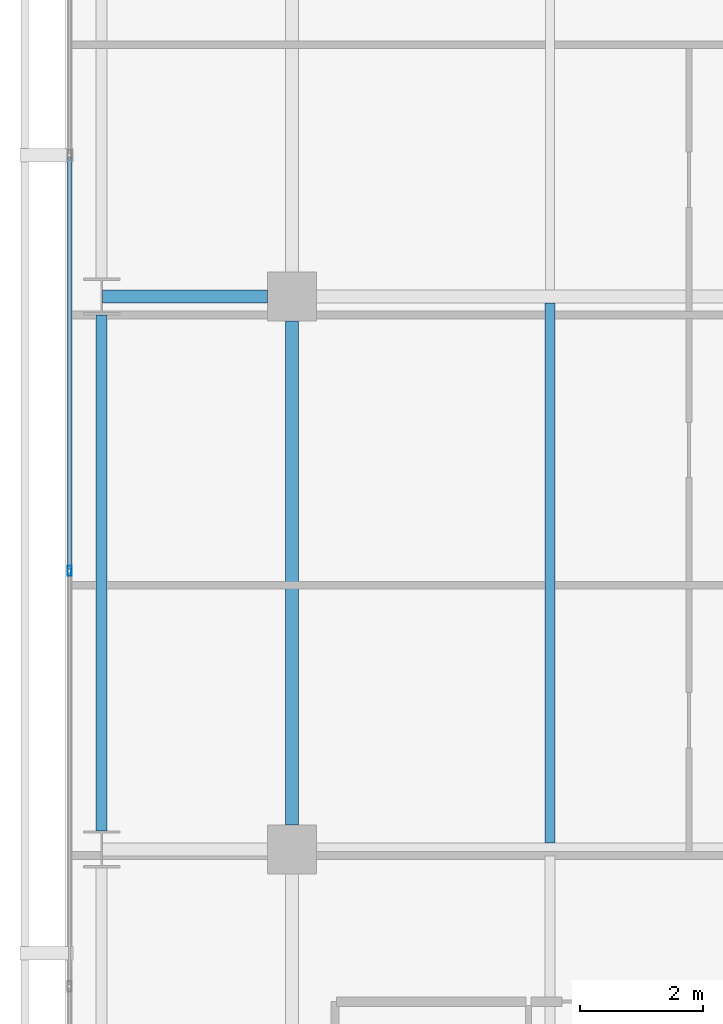
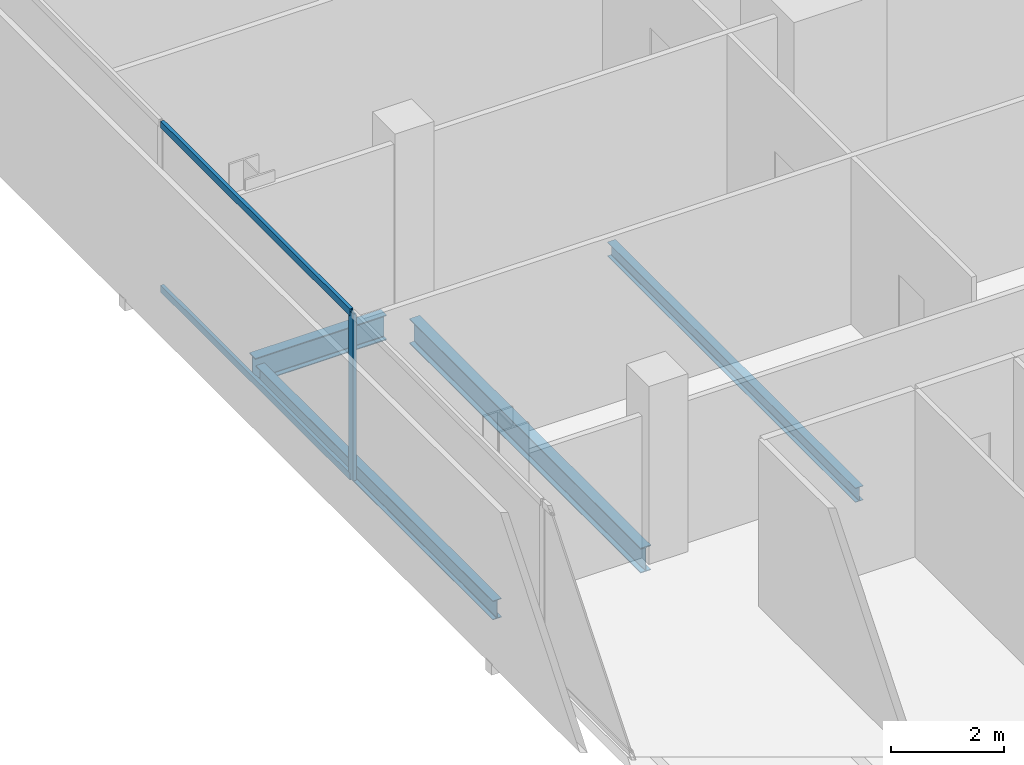
# One storey, part 8 of 34: 4 beams, 3 members, 1 element without a shape of its own.
"""IFC4 building model written with IfcOpenShell, lengths in metres."""

from ifc_helpers import new_model, si_unit, direction, frame, origin, origin_2d, place, context, subcontext, project, spatial, hollow_rectangle, i_section, extrude, material, layer, layer_set, material_profile, profile_set, type_object, element, aggregate, save


model = new_model("IFC4")

# Units and contexts
model_context = context("Model", 3, precision=1e-05, world=origin(), true_north=direction((0.0, 1.0)))
body_context = subcontext(model_context, "Body", "Model", "MODEL_VIEW")
ifc_project = project(units=[si_unit("LENGTHUNIT", "METRE"), si_unit("AREAUNIT", "SQUARE_METRE"), si_unit("VOLUMEUNIT", "CUBIC_METRE"), si_unit("PLANEANGLEUNIT", "RADIAN"), si_unit("MASSUNIT", "GRAM", prefix="KILO")], contexts=[model_context])

# Site, building, storey
site_placement = place(None, origin())
site = spatial("IfcSite", under=ifc_project, at=site_placement, CompositionType="ELEMENT")
building_placement = place(site_placement, origin())
building = spatial("IfcBuilding", under=site, at=building_placement, Name="Maruvema Waterfront Hotel and Observation Tower", CompositionType="ELEMENT")
storey_placement = place(building_placement, frame((0.0, 0.0, 215.949951171875)))
storey = spatial("IfcBuildingStorey", under=building, at=storey_placement, Name="L53", CompositionType="ELEMENT", Elevation=215.949951171875)

# Curtain wall, members
ifc_material_1 = material(Name="Anodised bronze aluminium and solar-control low-E IGU", Category="aluminium")
ifc_layer = layer(ifc_material_1, 0.159912109375, Name="Zone 2 Amber Inner Thermal Curtain Wall System CW-03")
ifc_layer_set = layer_set([ifc_layer], Name="Anodised bronze aluminium and solar-control low-E IGU")
curtain_wall_type = type_object("IfcCurtainWallType", Name="Zone 2 Amber Inner Thermal Curtain Wall System CW-03", PredefinedType="USERDEFINED", material=ifc_layer_set)
curtain_wall_placement = place(storey_placement, origin())
curtain_wall = element("IfcCurtainWall", 1, at=curtain_wall_placement, inside=storey, type_object=curtain_wall_type, Name="L53 Curtain Wall CW-L53-W", ObjectType="UNITISED CURTAIN WALL", PredefinedType="USERDEFINED")
ifc_material_2 = material(Name="Anodised architectural bronze aluminium", Category="aluminium")
ifc_material_profile_1 = material_profile(ifc_material_2, hollow_rectangle(XDim=0.070068359375, YDim=0.14990234375, WallThickness=0.00390625, at=origin_2d()), Name="ALU-T70x150")
ifc_profile_set_1 = profile_set([ifc_material_profile_1], Name="Anodised architectural bronze aluminium")
member_type_1 = type_object("IfcMemberType", Name="Curtain Wall Horizontal Transom ALU-T70x150", PredefinedType="USERDEFINED", material=ifc_profile_set_1)
member_1_placement = place(storey_placement, frame((13.179931640625, 29.27001953125, 0.030029296875), z_axis=(0.0, -1.0, 0.0), x_axis=(1.0, 0.0, 0.0)))
member_1 = element("IfcMember", 2, at=member_1_placement, type_object=member_type_1, Name="CW-03 transom 4.1", ObjectType="TRANSOM", PredefinedType="USERDEFINED", context=body_context, shape_type="SweptSolid", body=[
    extrude(hollow_rectangle(XDim=0.070068359375, YDim=0.14990234375, WallThickness=0.00390625, at=origin_2d()), origin(), (0.0, 0.0, 1.0), 6.706787109375),
])
member_2_placement = place(storey_placement, frame((13.179931640625, 29.27001953125, 3.580078125), z_axis=(0.0, -1.0, 0.0), x_axis=(1.0, 0.0, 0.0)))
member_2 = element("IfcMember", 3, at=member_2_placement, type_object=member_type_1, Name="CW-03 transom 4.2", ObjectType="TRANSOM", PredefinedType="USERDEFINED", context=body_context, shape_type="SweptSolid", body=[
    extrude(hollow_rectangle(XDim=0.070068359375, YDim=0.14990234375, WallThickness=0.00390625, at=origin_2d()), origin(), (0.0, 0.0, 1.0), 6.706787109375),
])
ifc_material_3 = material(Name="Anodised architectural bronze aluminium", Category="aluminium")
ifc_material_profile_2 = material_profile(ifc_material_3, hollow_rectangle(XDim=0.06494140625, YDim=0.1650390625, WallThickness=0.00390625, at=origin_2d()), Name="ALU-M65x165")
ifc_profile_set_2 = profile_set([ifc_material_profile_2], Name="Anodised architectural bronze aluminium")
member_type_2 = type_object("IfcMemberType", Name="Curtain Wall Primary Mullion ALU-M65x165", PredefinedType="MULLION", material=ifc_profile_set_2)
member_3_placement = place(storey_placement, frame((13.179931640625, 22.533447265625, 0.0), z_axis=(0.0, 0.0, 1.0), x_axis=(1.0, 0.0, 0.0)))
member_3 = element("IfcMember", 4, at=member_3_placement, type_object=member_type_2, Name="CW-03 mullion 5", PredefinedType="MULLION", context=body_context, shape_type="SweptSolid", body=[
    extrude(hollow_rectangle(XDim=0.06494140625, YDim=0.1650390625, WallThickness=0.00390625, at=origin_2d()), origin(), (0.0, 0.0, 1.0), 3.610107421875),
])
aggregate(curtain_wall, [member_3, member_1, member_2])

# Beams
ifc_material_4 = material(Name="Steel ASTM A572 Grade 50", Category="steel")
ifc_material_profile_3 = material_profile(ifc_material_4, i_section(OverallWidth=0.178955078125, OverallDepth=0.409912109375, WebThickness=0.0087890625, FlangeThickness=0.014404296875, FilletRadius=0.014892578125, at=origin_2d()), Name="W410x67.0")
ifc_profile_set_3 = profile_set([ifc_material_profile_3], Name="Steel ASTM A572 Grade 50")
beam_type_1 = type_object("IfcBeamType", Name="Perimeter Spandrel Beam W410x67.0", PredefinedType="SPANDREL", material=ifc_profile_set_3)
beam_1_placement = place(storey_placement, frame((13.699951171875, 18.300048828125, -0.445068359375), z_axis=(0.0, 1.0, 0.0), x_axis=(-1.0, 0.0, 0.0)))
element("IfcBeam", 5, at=beam_1_placement, inside=storey, type_object=beam_type_1, Name="L53 Floor Girder NS-02", PredefinedType="SPANDREL", context=body_context, shape_type="SweptSolid", body=[
    extrude(i_section(OverallWidth=0.178955078125, OverallDepth=0.409912109375, WebThickness=0.0087890625, FlangeThickness=0.014404296875, FilletRadius=0.014892578125, at=origin_2d()), origin(), (0.0, 0.0, 1.0), 8.39990234375),
])
ifc_material_5 = material(Name="Steel ASTM A572 Grade 50", Category="steel")
ifc_material_profile_4 = material_profile(ifc_material_5, i_section(OverallWidth=0.2109375, OverallDepth=0.5390625, WebThickness=0.01171875, FlangeThickness=0.018798828125, FilletRadius=0.014892578125, at=origin_2d()), Name="W530x109.0")
ifc_profile_set_4 = profile_set([ifc_material_profile_4], Name="Steel ASTM A572 Grade 50")
beam_type_2 = type_object("IfcBeamType", Name="Primary Floor Girder W530x109.0", PredefinedType="BEAM", material=ifc_profile_set_4)
beam_2_placement = place(storey_placement, frame((13.71240234375, 27.0, -0.509521484375), z_axis=(1.0, 0.0, 0.0), x_axis=(0.0, 1.0, 0.0)))
element("IfcBeam", 6, at=beam_2_placement, inside=storey, type_object=beam_type_2, Name="L53 Floor Girder EW-18", PredefinedType="BEAM", context=body_context, shape_type="SweptSolid", body=[
    extrude(i_section(OverallWidth=0.2109375, OverallDepth=0.5390625, WebThickness=0.01171875, FlangeThickness=0.018798828125, FilletRadius=0.014892578125, at=origin_2d()), origin(), (0.0, 0.0, 1.0), 2.6875),
])
beam_3_placement = place(storey_placement, frame((16.800048828125, 18.39990234375, -0.509521484375), z_axis=(0.0, 1.0, 0.0), x_axis=(-1.0, 0.0, 0.0)))
element("IfcBeam", 7, at=beam_3_placement, inside=storey, type_object=beam_type_2, Name="L53 Floor Girder NS-06", PredefinedType="BEAM", context=body_context, shape_type="SweptSolid", body=[
    extrude(i_section(OverallWidth=0.2109375, OverallDepth=0.5390625, WebThickness=0.01171875, FlangeThickness=0.018798828125, FilletRadius=0.014892578125, at=origin_2d()), origin(), (0.0, 0.0, 1.0), 8.2001953125),
])
ifc_material_6 = material(Name="Steel ASTM A572 Grade 50", Category="steel")
ifc_material_profile_5 = material_profile(ifc_material_6, i_section(OverallWidth=0.1650390625, OverallDepth=0.31005859375, WebThickness=0.005859375, FlangeThickness=0.009765625, FilletRadius=0.012939453125, at=origin_2d()), Name="W310x38.7")
ifc_profile_set_5 = profile_set([ifc_material_profile_5], Name="Steel ASTM A572 Grade 50")
beam_type_3 = type_object("IfcBeamType", Name="Secondary Floor Joist W310x38.7", PredefinedType="JOIST", material=ifc_profile_set_5)
beam_4_placement = place(storey_placement, frame((21.0, 18.10546875, -0.39501953125), z_axis=(0.0, 1.0, 0.0), x_axis=(-1.0, 0.0, 0.0)))
element("IfcBeam", 8, at=beam_4_placement, inside=storey, type_object=beam_type_3, Name="L53 Secondary Floor Joist JS-02", PredefinedType="JOIST", context=body_context, shape_type="SweptSolid", body=[
    extrude(i_section(OverallWidth=0.1650390625, OverallDepth=0.31005859375, WebThickness=0.005859375, FlangeThickness=0.009765625, FilletRadius=0.012939453125, at=origin_2d()), origin(), (0.0, 0.0, 1.0), 8.7890625),
])

save(model, "model.ifc")
